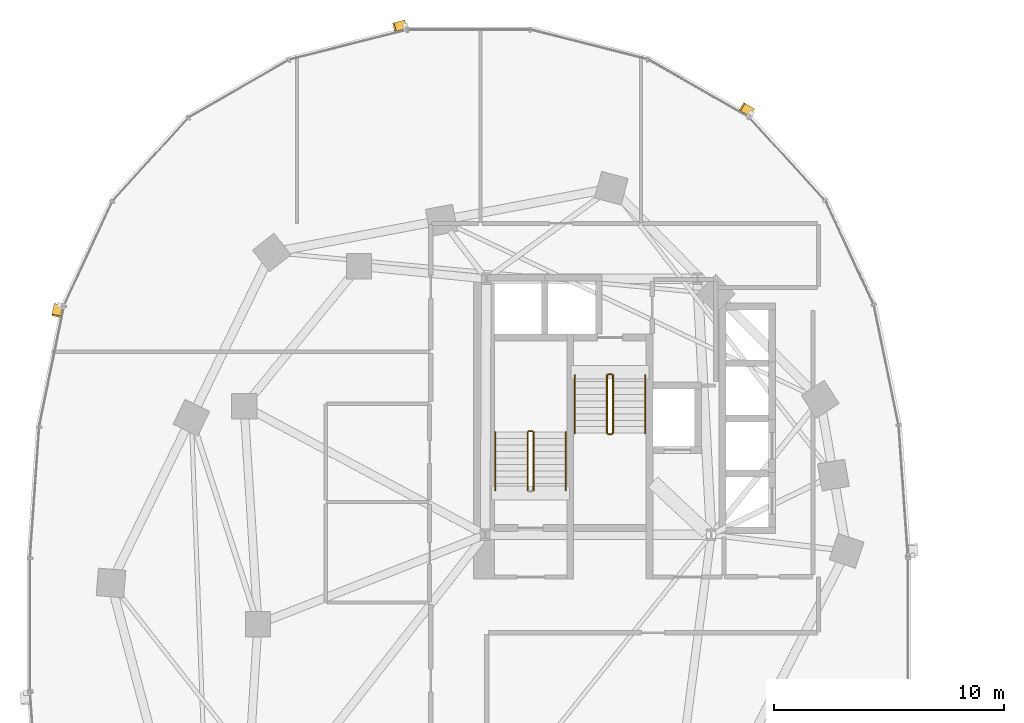
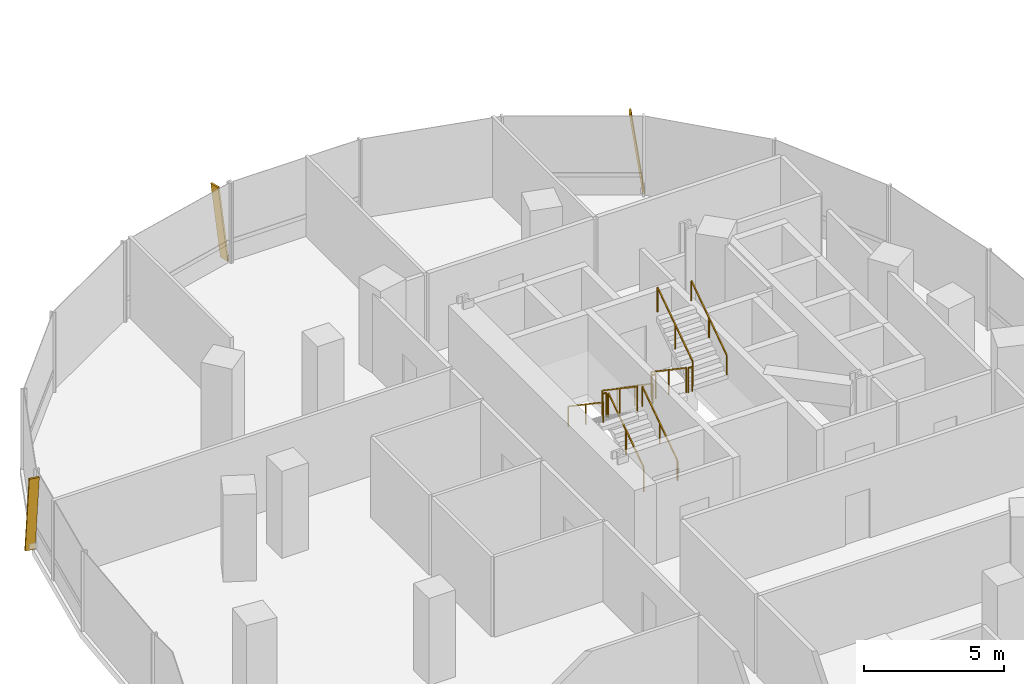
# One storey, part 19 of 21: 11 railings, 3 shading devices.
"""IFC4 building model written with IfcOpenShell, lengths in metres."""

import ifcopenshell
import ifcopenshell.guid

model = None  # the IFC model being written
_history = None  # IfcOwnerHistory: only IFC2X3 demands one
_inside = {}  # id of a spatial element -> (the spatial element, [elements in it])
_under = {}  # id of a project, library or spatial element -> (it, [spatial elements below it])
_declared = {}  # id of a project -> (the project, [libraries it declares])
_typed = {}  # id of a type object -> (the type object, [elements of that type])
_made_of = {}  # id of a material, layer set ... -> (it, [elements and type objects made of it])


def new_model(schema):
    """Start an empty IFC model of exactly this schema.

    Asked for "IFC4X3", IfcOpenShell would pick the latest addendum, in which some entities
    have other attributes; the version numbers below select the first issue.
    IFC2X3 requires an IfcOwnerHistory on every rooted entity: one is made here for all.
    """
    global model, _history
    if schema == "IFC4X3":
        model = ifcopenshell.file(schema_version=(4, 3, 0, 0))
    else:
        model = ifcopenshell.file(schema=schema)
    _inside.clear()
    _under.clear()
    _declared.clear()
    _typed.clear()
    _made_of.clear()
    _history = None
    if model.schema == "IFC2X3":
        org = make("IfcOrganization", Name="unknown")
        user = make(
            "IfcPersonAndOrganization",
            ThePerson=make("IfcPerson", FamilyName="unknown"),
            TheOrganization=org,
        )
        app = make(
            "IfcApplication",
            ApplicationDeveloper=org,
            Version="unknown",
            ApplicationFullName="unknown",
            ApplicationIdentifier="unknown",
        )
        _history = make(
            "IfcOwnerHistory",
            OwningUser=user,
            OwningApplication=app,
            ChangeAction="ADDED",
            CreationDate=0,
        )
    return model


def make(cls, **values):
    """One entity of the class cls with the attributes given. An attribute that is None is left unset."""
    return model.create_entity(
        cls, **{name: value for name, value in values.items() if value is not None}
    )


def rooted(cls, **values):
    """An entity with a GlobalId (a new one), such as an element, a storey or a relation."""
    return make(cls, GlobalId=ifcopenshell.guid.new(), OwnerHistory=_history, **values)


def si_unit(unit_type, name, prefix=None):
    """IfcSIUnit, for example si_unit("LENGTHUNIT", "METRE", prefix="MILLI")."""
    return make("IfcSIUnit", UnitType=unit_type, Prefix=prefix, Name=name)


def assignment(units):
    """IfcUnitAssignment: the units of a project."""
    return None if units is None else make("IfcUnitAssignment", Units=units)


def point(xyz):
    """IfcCartesianPoint."""
    return None if xyz is None else make("IfcCartesianPoint", Coordinates=xyz)


def direction(xyz):
    """IfcDirection."""
    return None if xyz is None else make("IfcDirection", DirectionRatios=xyz)


def frame(location, z_axis=None, x_axis=None):
    """IfcAxis2Placement3D, a coordinate frame: its origin and axes. An axis left out is left unset."""
    return make(
        "IfcAxis2Placement3D",
        Location=point(location),
        Axis=direction(z_axis),
        RefDirection=direction(x_axis),
    )


def frame_2d(location, x_axis=None):
    """IfcAxis2Placement2D, a coordinate frame in the plane: its origin and x axis."""
    return make(
        "IfcAxis2Placement2D", Location=point(location), RefDirection=direction(x_axis)
    )


def origin():
    """The frame at (0, 0, 0) with its axes left unset."""
    return frame((0.0, 0.0, 0.0))


def origin_2d():
    """The frame at (0, 0) in the plane with its x axis left unset."""
    return frame_2d((0.0, 0.0))


def place(relative_to, where):
    """IfcLocalPlacement: puts the frame where relative to a parent placement (None: the world)."""
    return make(
        "IfcLocalPlacement", PlacementRelTo=relative_to, RelativePlacement=where
    )


def context(
    kind, dimensions, precision=None, world=None, true_north=None, identifier=None
):
    """IfcGeometricRepresentationContext, for example the 3D "Model" context."""
    return make(
        "IfcGeometricRepresentationContext",
        ContextIdentifier=identifier,
        ContextType=kind,
        CoordinateSpaceDimension=dimensions,
        Precision=precision,
        WorldCoordinateSystem=world,
        TrueNorth=true_north,
    )


def subcontext(parent, identifier, kind, view, scale=None):
    """IfcGeometricRepresentationSubContext, for example "Body" below "Model"."""
    return make(
        "IfcGeometricRepresentationSubContext",
        ContextIdentifier=identifier,
        ContextType=kind,
        ParentContext=parent,
        TargetScale=scale,
        TargetView=view,
    )


def project(units=None, contexts=None):
    """IfcProject with its units and contexts."""
    return rooted(
        "IfcProject",
        Name="project",
        RepresentationContexts=contexts,
        UnitsInContext=assignment(units),
    )


def spatial(cls, under=None, at=None, **own):
    """A site, building, storey or space (cls), placed at a placement, below another one or the project."""
    s = rooted(cls, ObjectPlacement=at, **own)
    if under is not None:
        _under.setdefault(under.id(), (under, []))[1].append(s)
    return s


def profile(cls, at=None, kind="AREA", **sizes):
    """A parametric profile (cls). Its sizes go by their IFC names, for example OverallWidth=200.0."""
    return make(cls, ProfileType=kind, Position=at, **sizes)


def rectangle(**sizes):
    """IfcRectangleProfileDef."""
    return profile("IfcRectangleProfileDef", **sizes)


def extrude(swept, where, along, depth):
    """IfcExtrudedAreaSolid: the profile swept, set in the frame where, extruded along a direction by depth."""
    return make(
        "IfcExtrudedAreaSolid",
        SweptArea=swept,
        Position=where,
        ExtrudedDirection=direction(along),
        Depth=depth,
    )


def shape(context_of_items, identifier, shape_type, items):
    """IfcShapeRepresentation: the items that make up one representation, for example the "Body"."""
    return make(
        "IfcShapeRepresentation",
        ContextOfItems=context_of_items,
        RepresentationIdentifier=identifier,
        RepresentationType=shape_type,
        Items=items,
    )


def material(Name=None, Category=None):
    """IfcMaterial."""
    return make("IfcMaterial", Name=Name, Category=Category)


def material_profile(
    of_material, cross_section, Name=None, Category=None, Priority=None
):
    """IfcMaterialProfile: a cross section and its material."""
    return make(
        "IfcMaterialProfile",
        Name=Name,
        Material=of_material,
        Profile=cross_section,
        Priority=Priority,
        Category=Category,
    )


def profile_set(profiles, Name=None, composite=None):
    """IfcMaterialProfileSet."""
    return make(
        "IfcMaterialProfileSet",
        Name=Name,
        MaterialProfiles=profiles,
        CompositeProfile=composite,
    )


def made_of(thing, what):
    """Note that an element or type object is made of a material, layer set ...; save() writes the relation."""
    if what is not None:
        _made_of.setdefault(what.id(), (what, []))[1].append(thing)
    return thing


def type_object(cls, material=None, **own):
    """A type object (cls), such as IfcWallType, which elements share."""
    return made_of(rooted(cls, **own), material)


def element(
    cls,
    number,
    at=None,
    inside=None,
    cuts=None,
    type_object=None,
    material=None,
    context=None,
    identifier="Body",
    shape_type=None,
    held_by="IfcProductDefinitionShape",
    body=None,
    shapes=None,
    **own,
):
    """One element of the class cls, such as IfcWall. Its Tag is "e" and its number.

    at: its placement. inside: the storey or other place that contains it. cuts: it is an
    opening in that element (IfcRelVoidsElement). A single representation is given by context,
    identifier, shape_type and body (its items); several are given by shapes. held_by: the class
    of the entity that holds the representations. save() writes the other relations.
    """
    e = rooted(cls, Tag="e%d" % number, ObjectPlacement=at, **own)
    if body is not None:
        shapes = [shape(context, identifier, shape_type, body)]
    if shapes is not None:
        e.Representation = make(held_by, Representations=shapes)
    if inside is not None:
        _inside.setdefault(inside.id(), (inside, []))[1].append(e)
    if cuts is not None:
        rooted(
            "IfcRelVoidsElement", RelatingBuildingElement=cuts, RelatedOpeningElement=e
        )
    if type_object is not None:
        _typed.setdefault(type_object.id(), (type_object, []))[1].append(e)
    return made_of(e, material)


def aggregate(whole, parts):
    """IfcRelAggregates: a whole, such as a stair, and the parts it consists of."""
    return rooted("IfcRelAggregates", RelatingObject=whole, RelatedObjects=parts)


def save(model, path):
    """Write the relations noted so far, then the file.

    IfcRelAggregates (storeys below a building ...), IfcRelContainedInSpatialStructure (elements
    in a storey), IfcRelDefinesByType, IfcRelAssociatesMaterial and IfcRelDeclares: one each for
    every whole, place, type object, material and project.
    """
    for whole, parts in _under.values():
        aggregate(whole, parts)
    for where, things in _inside.values():
        rooted(
            "IfcRelContainedInSpatialStructure",
            RelatedElements=things,
            RelatingStructure=where,
        )
    for kind, things in _typed.values():
        rooted("IfcRelDefinesByType", RelatedObjects=things, RelatingType=kind)
    for what, things in _made_of.values():
        rooted("IfcRelAssociatesMaterial", RelatedObjects=things, RelatingMaterial=what)
    for by, libraries in _declared.values():
        rooted("IfcRelDeclares", RelatingContext=by, RelatedDefinitions=libraries)
    model.write(path)


model = new_model("IFC4")

# Units and contexts
model_context = context("Model", 3, precision=1e-05, world=origin(), true_north=direction((0.0, 1.0)))
body_context = subcontext(model_context, "Body", "Model", "MODEL_VIEW")
ifc_project = project(units=[si_unit("LENGTHUNIT", "METRE"), si_unit("AREAUNIT", "SQUARE_METRE"), si_unit("VOLUMEUNIT", "CUBIC_METRE"), si_unit("PLANEANGLEUNIT", "RADIAN"), si_unit("MASSUNIT", "GRAM", prefix="KILO"), si_unit("THERMODYNAMICTEMPERATUREUNIT", "KELVIN"), si_unit("POWERUNIT", "WATT")], contexts=[model_context])

# Site, building, storey
site_placement = place(None, origin())
site = spatial("IfcSite", under=ifc_project, at=site_placement, CompositionType="ELEMENT")
building_placement = place(site_placement, origin())
building = spatial("IfcBuilding", under=site, at=building_placement, Name="Cundina Bronze Exchange", CompositionType="ELEMENT")
storey_placement = place(building_placement, frame((0.0, 0.0, 58.199951171875)))
storey = spatial("IfcBuildingStorey", under=building, at=storey_placement, Name="L14", CompositionType="ELEMENT", Elevation=58.199951171875)

# Railings
ifc_material_1 = material(Name="Steel ASTM A36 Painted", Category="steel")
railing_type_1 = type_object("IfcRailingType", Name="RLG-HND-900", PredefinedType="HANDRAIL", material=ifc_material_1)
railing_1_placement = place(storey_placement, frame((-27.7900390625, 5.85009765625, 0.18994140625)))
element("IfcRailing", 1, at=railing_1_placement, inside=storey, type_object=railing_type_1, Name="L14 ST-W1 stair handrail 1", PredefinedType="HANDRAIL", context=body_context, shape_type="SweptSolid", body=[
    extrude(rectangle(XDim=0.048095703125, YDim=0.048095703125, at=origin_2d()), frame((0.0, 0.0, 0.8759765625), z_axis=(0.0, 0.82744650838, 0.561544544778), x_axis=(-1.0, 0.0, 0.0)), (0.0, 0.0, 1.0), 3.045654296875),
    extrude(rectangle(XDim=0.0419921875, YDim=0.0419921875, at=origin_2d()), origin(), (0.0, 0.0, 1.0), 0.851806640625),
    extrude(rectangle(XDim=0.0419921875, YDim=0.0419921875, at=origin_2d()), frame((0.0, 1.260009765625, 0.85498046875)), (0.0, 0.0, 1.0), 0.851806640625),
    extrude(rectangle(XDim=0.0419921875, YDim=0.0419921875, at=origin_2d()), frame((0.0, 2.52001953125, 1.710205078125)), (0.0, 0.0, 1.0), 0.851806640625),
])
railing_2_placement = place(storey_placement, frame((-30.85009765625, 8.3701171875, 2.090087890625)))
element("IfcRailing", 2, at=railing_2_placement, inside=storey, type_object=railing_type_1, Name="L14 ST-W1 stair handrail 2", PredefinedType="HANDRAIL", context=body_context, shape_type="SweptSolid", body=[
    extrude(rectangle(XDim=0.048095703125, YDim=0.048095703125, at=origin_2d()), frame((0.0, 0.0, 0.8759765625), z_axis=(0.0, -0.827483756001, 0.561489655786), x_axis=(1.0, 0.0, 0.0)), (0.0, 0.0, 1.0), 3.04541015625),
    extrude(rectangle(XDim=0.0419921875, YDim=0.0419921875, at=origin_2d()), origin(), (0.0, 0.0, 1.0), 0.851806640625),
    extrude(rectangle(XDim=0.0419921875, YDim=0.0419921875, at=origin_2d()), frame((0.0, -1.260009765625, 0.85498046875)), (0.0, 0.0, 1.0), 0.851806640625),
    extrude(rectangle(XDim=0.0419921875, YDim=0.0419921875, at=origin_2d()), frame((0.0, -2.52001953125, 1.7099609375)), (0.0, 0.0, 1.0), 0.851806640625),
])
railing_3_placement = place(storey_placement, frame((-27.389892578125, 10.85009765625, 0.18994140625)))
element("IfcRailing", 3, at=railing_3_placement, inside=storey, type_object=railing_type_1, Name="L14 ST-W2 stair handrail 1", PredefinedType="HANDRAIL", context=body_context, shape_type="SweptSolid", body=[
    extrude(rectangle(XDim=0.048095703125, YDim=0.048095703125, at=origin_2d()), frame((0.0, 0.0, 0.8759765625), z_axis=(0.0, -0.82744650838, 0.561544544778), x_axis=(1.0, 0.0, 0.0)), (0.0, 0.0, 1.0), 3.045654296875),
    extrude(rectangle(XDim=0.0419921875, YDim=0.0419921875, at=origin_2d()), origin(), (0.0, 0.0, 1.0), 0.851806640625),
    extrude(rectangle(XDim=0.0419921875, YDim=0.0419921875, at=origin_2d()), frame((0.0, -1.260009765625, 0.85498046875)), (0.0, 0.0, 1.0), 0.851806640625),
    extrude(rectangle(XDim=0.0419921875, YDim=0.0419921875, at=origin_2d()), frame((0.0, -2.52001953125, 1.710205078125)), (0.0, 0.0, 1.0), 0.851806640625),
])
railing_4_placement = place(storey_placement, frame((-24.330078125, 8.330078125, 2.090087890625)))
element("IfcRailing", 4, at=railing_4_placement, inside=storey, type_object=railing_type_1, Name="L14 ST-W2 stair handrail 2", PredefinedType="HANDRAIL", context=body_context, shape_type="SweptSolid", body=[
    extrude(rectangle(XDim=0.048095703125, YDim=0.048095703125, at=origin_2d()), frame((0.0, 0.0, 0.8759765625), z_axis=(0.0, 0.827483756001, 0.561489655786), x_axis=(-1.0, 0.0, 0.0)), (0.0, 0.0, 1.0), 3.04541015625),
    extrude(rectangle(XDim=0.0419921875, YDim=0.0419921875, at=origin_2d()), origin(), (0.0, 0.0, 1.0), 0.851806640625),
    extrude(rectangle(XDim=0.0419921875, YDim=0.0419921875, at=origin_2d()), frame((0.0, 1.260009765625, 0.85498046875)), (0.0, 0.0, 1.0), 0.851806640625),
    extrude(rectangle(XDim=0.0419921875, YDim=0.0419921875, at=origin_2d()), frame((0.0, 2.52001953125, 1.7099609375)), (0.0, 0.0, 1.0), 0.851806640625),
])
railing_type_2 = type_object("IfcRailingType", Name="RLG-STG-1100", PredefinedType="GUARDRAIL", material=ifc_material_1)
railing_5_placement = place(storey_placement, frame((-29.18994140625, 5.85009765625, 0.18994140625)))
element("IfcRailing", 5, at=railing_5_placement, inside=storey, type_object=railing_type_2, Name="L14 ST-W1 stair guard 1", PredefinedType="GUARDRAIL", context=body_context, shape_type="SweptSolid", body=[
    extrude(rectangle(XDim=0.048095703125, YDim=0.048095703125, at=origin_2d()), frame((0.0, 0.0, 1.076171875), z_axis=(0.0, 0.82744650838, 0.561544544778), x_axis=(-1.0, 0.0, 0.0)), (0.0, 0.0, 1.0), 3.045654296875),
    extrude(rectangle(XDim=0.0419921875, YDim=0.0419921875, at=origin_2d()), origin(), (0.0, 0.0, 1.0), 1.052001953125),
    extrude(rectangle(XDim=0.0419921875, YDim=0.0419921875, at=origin_2d()), frame((0.0, 1.260009765625, 0.85498046875)), (0.0, 0.0, 1.0), 1.052001953125),
    extrude(rectangle(XDim=0.0419921875, YDim=0.0419921875, at=origin_2d()), frame((0.0, 2.52001953125, 1.710205078125)), (0.0, 0.0, 1.0), 1.052001953125),
])
railing_6_placement = place(storey_placement, frame((-29.239990234375, 8.419921875, 1.900146484375)))
element("IfcRailing", 6, at=railing_6_placement, inside=storey, type_object=railing_type_2, Name="L14 ST-W1 stair guard 2", PredefinedType="GUARDRAIL", context=body_context, shape_type="SweptSolid", body=[
    extrude(rectangle(XDim=0.048095703125, YDim=0.048095703125, at=origin_2d()), frame((0.0, 0.0, 1.076171875), z_axis=(-1.0, 0.0, 0.0), x_axis=(0.0, -1.0, 0.0)), (0.0, 0.0, 1.0), 0.159912109375),
    extrude(rectangle(XDim=0.0419921875, YDim=0.0419921875, at=origin_2d()), origin(), (0.0, 0.0, 1.0), 1.052001953125),
    extrude(rectangle(XDim=0.0419921875, YDim=0.0419921875, at=origin_2d()), frame((-0.159912109375, 0.0, 0.0)), (0.0, 0.0, 1.0), 1.052001953125),
])
railing_7_placement = place(storey_placement, frame((-29.449951171875, 8.3701171875, 2.090087890625)))
element("IfcRailing", 7, at=railing_7_placement, inside=storey, type_object=railing_type_2, Name="L14 ST-W1 stair guard 3", PredefinedType="GUARDRAIL", context=body_context, shape_type="SweptSolid", body=[
    extrude(rectangle(XDim=0.048095703125, YDim=0.048095703125, at=origin_2d()), frame((0.0, 0.0, 1.076171875), z_axis=(0.0, -0.827483756001, 0.561489655786), x_axis=(1.0, 0.0, 0.0)), (0.0, 0.0, 1.0), 3.04541015625),
    extrude(rectangle(XDim=0.0419921875, YDim=0.0419921875, at=origin_2d()), origin(), (0.0, 0.0, 1.0), 1.052001953125),
    extrude(rectangle(XDim=0.0419921875, YDim=0.0419921875, at=origin_2d()), frame((0.0, -1.260009765625, 0.85498046875)), (0.0, 0.0, 1.0), 1.052001953125),
    extrude(rectangle(XDim=0.0419921875, YDim=0.0419921875, at=origin_2d()), frame((0.0, -2.52001953125, 1.7099609375)), (0.0, 0.0, 1.0), 1.052001953125),
])
railing_8_placement = place(storey_placement, frame((-25.989990234375, 10.85009765625, 0.18994140625)))
element("IfcRailing", 8, at=railing_8_placement, inside=storey, type_object=railing_type_2, Name="L14 ST-W2 stair guard 1", PredefinedType="GUARDRAIL", context=body_context, shape_type="SweptSolid", body=[
    extrude(rectangle(XDim=0.048095703125, YDim=0.048095703125, at=origin_2d()), frame((0.0, 0.0, 1.076171875), z_axis=(0.0, -0.82744650838, 0.561544544778), x_axis=(1.0, 0.0, 0.0)), (0.0, 0.0, 1.0), 3.045654296875),
    extrude(rectangle(XDim=0.0419921875, YDim=0.0419921875, at=origin_2d()), origin(), (0.0, 0.0, 1.0), 1.052001953125),
    extrude(rectangle(XDim=0.0419921875, YDim=0.0419921875, at=origin_2d()), frame((0.0, -1.260009765625, 0.85498046875)), (0.0, 0.0, 1.0), 1.052001953125),
    extrude(rectangle(XDim=0.0419921875, YDim=0.0419921875, at=origin_2d()), frame((0.0, -2.52001953125, 1.710205078125)), (0.0, 0.0, 1.0), 1.052001953125),
])
railing_9_placement = place(storey_placement, frame((-25.93994140625, 8.280029296875, 1.900146484375)))
element("IfcRailing", 9, at=railing_9_placement, inside=storey, type_object=railing_type_2, Name="L14 ST-W2 stair guard 2", PredefinedType="GUARDRAIL", context=body_context, shape_type="SweptSolid", body=[
    extrude(rectangle(XDim=0.048095703125, YDim=0.048095703125, at=origin_2d()), frame((0.0, 0.0, 1.076171875), z_axis=(1.0, 0.0, 0.0), x_axis=(0.0, 1.0, 0.0)), (0.0, 0.0, 1.0), 0.159912109375),
    extrude(rectangle(XDim=0.0419921875, YDim=0.0419921875, at=origin_2d()), origin(), (0.0, 0.0, 1.0), 1.052001953125),
    extrude(rectangle(XDim=0.0419921875, YDim=0.0419921875, at=origin_2d()), frame((0.159912109375, 0.0, 0.0)), (0.0, 0.0, 1.0), 1.052001953125),
])
railing_10_placement = place(storey_placement, frame((-25.72998046875, 8.330078125, 2.090087890625)))
element("IfcRailing", 10, at=railing_10_placement, inside=storey, type_object=railing_type_2, Name="L14 ST-W2 stair guard 3", PredefinedType="GUARDRAIL", context=body_context, shape_type="SweptSolid", body=[
    extrude(rectangle(XDim=0.048095703125, YDim=0.048095703125, at=origin_2d()), frame((0.0, 0.0, 1.076171875), z_axis=(0.0, 0.827483756001, 0.561489655786), x_axis=(-1.0, 0.0, 0.0)), (0.0, 0.0, 1.0), 3.04541015625),
    extrude(rectangle(XDim=0.0419921875, YDim=0.0419921875, at=origin_2d()), origin(), (0.0, 0.0, 1.0), 1.052001953125),
    extrude(rectangle(XDim=0.0419921875, YDim=0.0419921875, at=origin_2d()), frame((0.0, 1.260009765625, 0.85498046875)), (0.0, 0.0, 1.0), 1.052001953125),
    extrude(rectangle(XDim=0.0419921875, YDim=0.0419921875, at=origin_2d()), frame((0.0, 2.52001953125, 1.7099609375)), (0.0, 0.0, 1.0), 1.052001953125),
])
railing_11_placement = place(storey_placement, frame((-25.93994140625, 10.89990234375, 0.0)))
element("IfcRailing", 11, at=railing_11_placement, inside=storey, type_object=railing_type_2, Name="L14 ST-W2 stair guard 4", PredefinedType="GUARDRAIL", context=body_context, shape_type="SweptSolid", body=[
    extrude(rectangle(XDim=0.048095703125, YDim=0.048095703125, at=origin_2d()), frame((0.0, 0.0, 1.076171875), z_axis=(1.0, 0.0, 0.0), x_axis=(0.0, 1.0, 0.0)), (0.0, 0.0, 1.0), 0.159912109375),
    extrude(rectangle(XDim=0.0419921875, YDim=0.0419921875, at=origin_2d()), origin(), (0.0, 0.0, 1.0), 1.052001953125),
    extrude(rectangle(XDim=0.0419921875, YDim=0.0419921875, at=origin_2d()), frame((0.159912109375, 0.0, 0.0)), (0.0, 0.0, 1.0), 1.052001953125),
])

# Shading devices
ifc_material_2 = material(Name="Anodised Bronze Aluminium 6063-T6", Category="aluminium")
ifc_material_profile = material_profile(ifc_material_2, rectangle(XDim=0.070068359375, YDim=0.3798828125, at=origin_2d()), Name="FIN70X380", Category="aluminium")
ifc_profile_set = profile_set([ifc_material_profile], Name="Anodised Bronze Aluminium 6063-T6")
shading_device_type = type_object("IfcShadingDeviceType", Name="SHD-FIN-BRZ380", PredefinedType="USERDEFINED", material=ifc_profile_set)
for number, where, z_axis, x_axis, name in (
    (12, (-19.685791015625, 22.314208984375, 0.02001953125), (-0.119166378275, 0.06842456559, 0.990513731915), (0.85898178632, -0.493221799887, 0.137413779831), "L14 Diagonal Bronze Solar Fin 5"),
    (13, (-34.787353515625, 26.138427734375, 0.02001953125), (-0.133214830938, -0.033688115694, 0.990514472221), (0.960284642503, 0.242842181368, 0.137408443412), "L14 Diagonal Bronze Solar Fin 1"),
    (14, (-49.89599609375, 13.911865234375, 0.02001953125), (-0.027747134956, -0.134612045151, 0.990509815096), (0.199966585563, 0.970114971774, 0.137442010309), "L14 Diagonal Bronze Solar Fin 5"),
):
    element("IfcShadingDevice", number, at=place(storey_placement, frame(where, z_axis=z_axis, x_axis=x_axis)), inside=storey, type_object=shading_device_type, Name=name, ObjectType="FIN", PredefinedType="USERDEFINED", context=body_context, shape_type="SweptSolid", body=[
        extrude(rectangle(XDim=0.070068359375, YDim=0.3798828125, at=origin_2d()), origin(), (0.0, 0.0, 1.0), 3.4931640625),
    ])

save(model, "model.ifc")
